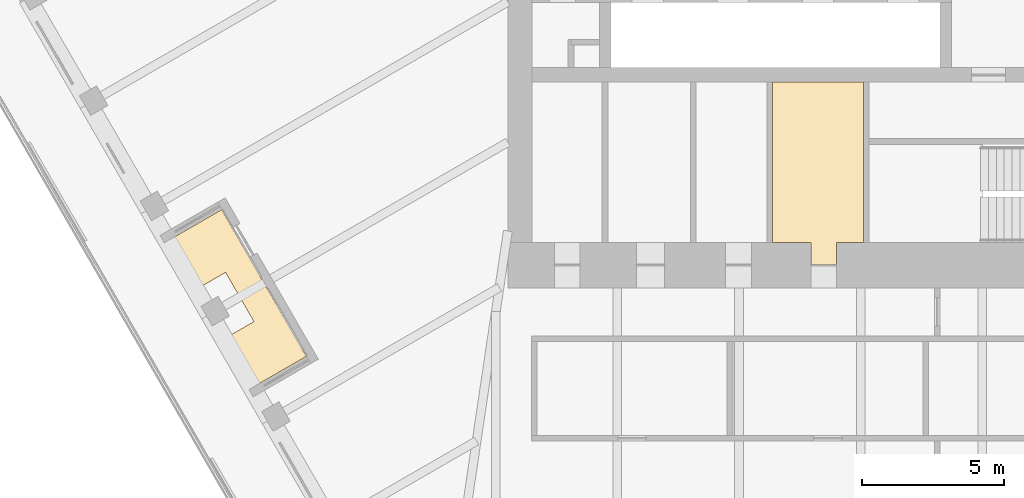
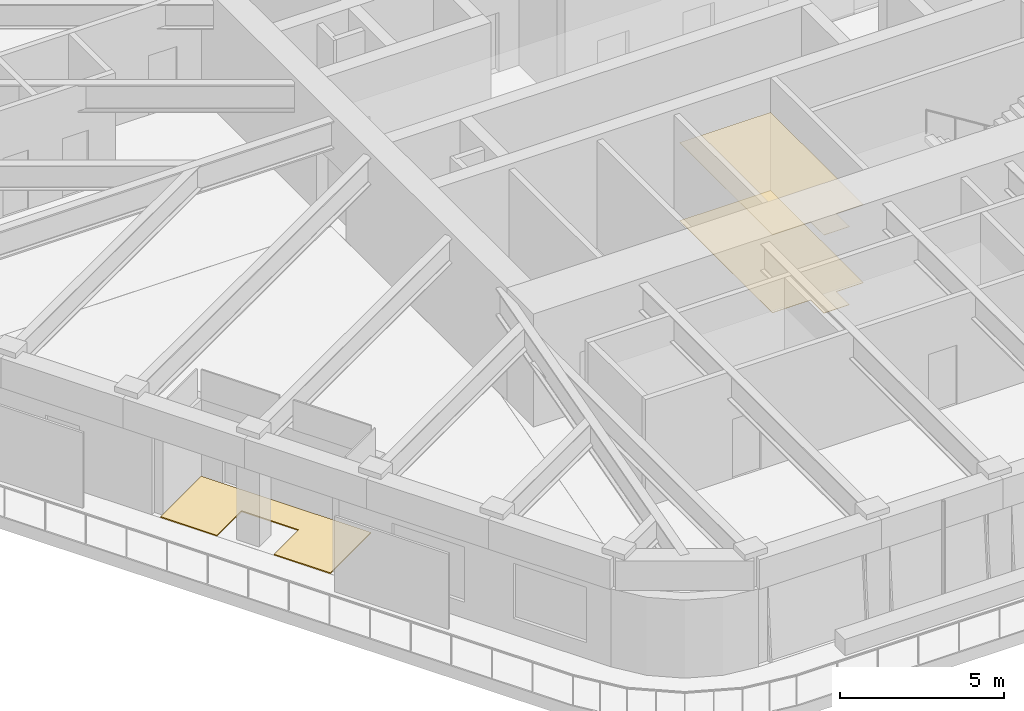
# One storey, part 18 of 20: 3 coverings.
"""IFC4 building model written with IfcOpenShell, lengths in metres."""

from ifc_helpers import new_model, si_unit, direction, frame, origin, place, context, subcontext, project, spatial, polyline, outline, extrude, material, layer, layer_set, type_object, element, save


model = new_model("IFC4")

# Units and contexts
model_context = context("Model", 3, precision=1e-05, world=origin(), true_north=direction((0.0, 1.0)))
body_context = subcontext(model_context, "Body", "Model", "MODEL_VIEW")
ifc_project = project(units=[si_unit("LENGTHUNIT", "METRE"), si_unit("AREAUNIT", "SQUARE_METRE"), si_unit("VOLUMEUNIT", "CUBIC_METRE"), si_unit("PLANEANGLEUNIT", "RADIAN"), si_unit("MASSUNIT", "GRAM", prefix="KILO")], contexts=[model_context])

# Site, building, storey
site_placement = place(None, origin())
site = spatial("IfcSite", under=ifc_project, at=site_placement, CompositionType="ELEMENT")
building_placement = place(site_placement, origin())
building = spatial("IfcBuilding", under=site, at=building_placement, Name="Tarfa Lantern Tower", CompositionType="ELEMENT")
storey_placement = place(building_placement, frame((0.0, 0.0, 378.699951171875)))
storey = spatial("IfcBuildingStorey", under=building, at=storey_placement, Name="L86", CompositionType="ELEMENT", Elevation=378.699951171875)

# Coverings
ifc_material_1 = material(Name="Moisture-resistant plasterboard", Category="finish")
ifc_layer_1 = layer(ifc_material_1, 0.014892578125)
ifc_layer_set_1 = layer_set([ifc_layer_1], Name="CL2 MOISTURE-RESISTANT PLASTERBOARD CEILING 15")
covering_type_1 = type_object("IfcCoveringType", Name="CL2 MOISTURE-RESISTANT PLASTERBOARD CEILING 15", PredefinedType="CEILING", material=ifc_layer_set_1)
covering_1_placement = place(storey_placement, frame((0.0, 0.0, 2.900146484375)))
element("IfcCovering", 1, at=covering_1_placement, inside=storey, type_object=covering_type_1, Name="Ceiling L86-13", PredefinedType="CEILING", context=body_context, shape_type="SweptSolid", body=[
    extrude(outline(polyline([(-0.85009765625, -10.699951171875), (0.10009765625, -10.699951171875), (0.10009765625, -5.050048828125), (-3.10009765625, -5.050048828125), (-3.10009765625, -10.699951171875), (-1.75, -10.699951171875), (-1.75, -11.5), (-0.85009765625, -11.5), (-0.85009765625, -10.699951171875)])), origin(), (0.0, 0.0, 1.0), 0.014892578125),
])
ifc_material_2 = material(Name="Porcelain floor tile", Category="finish")
ifc_layer_2 = layer(ifc_material_2, 0.011962890625)
ifc_layer_set_2 = layer_set([ifc_layer_2], Name="FL3 CERAMIC TILE 12")
covering_type_2 = type_object("IfcCoveringType", Name="FL3 CERAMIC TILE 12", PredefinedType="FLOORING", material=ifc_layer_set_2)
covering_2_placement = place(storey_placement, origin())
element("IfcCovering", 2, at=covering_2_placement, inside=storey, type_object=covering_type_2, Name="Floor finish L86-13", PredefinedType="FLOORING", context=body_context, shape_type="SweptSolid", body=[
    extrude(outline(polyline([(-0.85009765625, -10.699951171875), (0.10009765625, -10.699951171875), (0.10009765625, -5.050048828125), (-3.10009765625, -5.050048828125), (-3.10009765625, -10.699951171875), (-1.75, -10.699951171875), (-1.75, -11.5), (-0.85009765625, -11.5), (-0.85009765625, -10.699951171875)])), origin(), (0.0, 0.0, 1.0), 0.011962890625),
])
ifc_material_3 = material(Name="Porcelain pavers on pedestals", Category="ceramic")
ifc_layer_3 = layer(ifc_material_3, 0.0400390625)
ifc_layer_set_3 = layer_set([ifc_layer_3], Name="LP1 LOGGIA PAVING 40")
covering_type_3 = type_object("IfcCoveringType", Name="LP1 LOGGIA PAVING 40", PredefinedType="FLOORING", material=ifc_layer_set_3)
covering_3_placement = place(storey_placement, origin())
element("IfcCovering", 3, at=covering_3_placement, inside=storey, type_object=covering_type_3, Name="Terrace paving SW", PredefinedType="FLOORING", context=body_context, shape_type="SweptSolid", body=[
    extrude(outline(polyline([(-24.6572265625, -10.79248046875), (-22.509521484375, -9.552490234375), (-19.52734375, -14.717529296875), (-21.67529296875, -15.95751953125), (-22.666259765625, -14.240966796875), (-21.3671875, -13.490966796875), (-22.3671875, -11.759033203125), (-23.666259765625, -12.509033203125), (-24.6572265625, -10.79248046875)])), origin(), (0.0, 0.0, 1.0), 0.0400390625),
])

save(model, "model.ifc")
